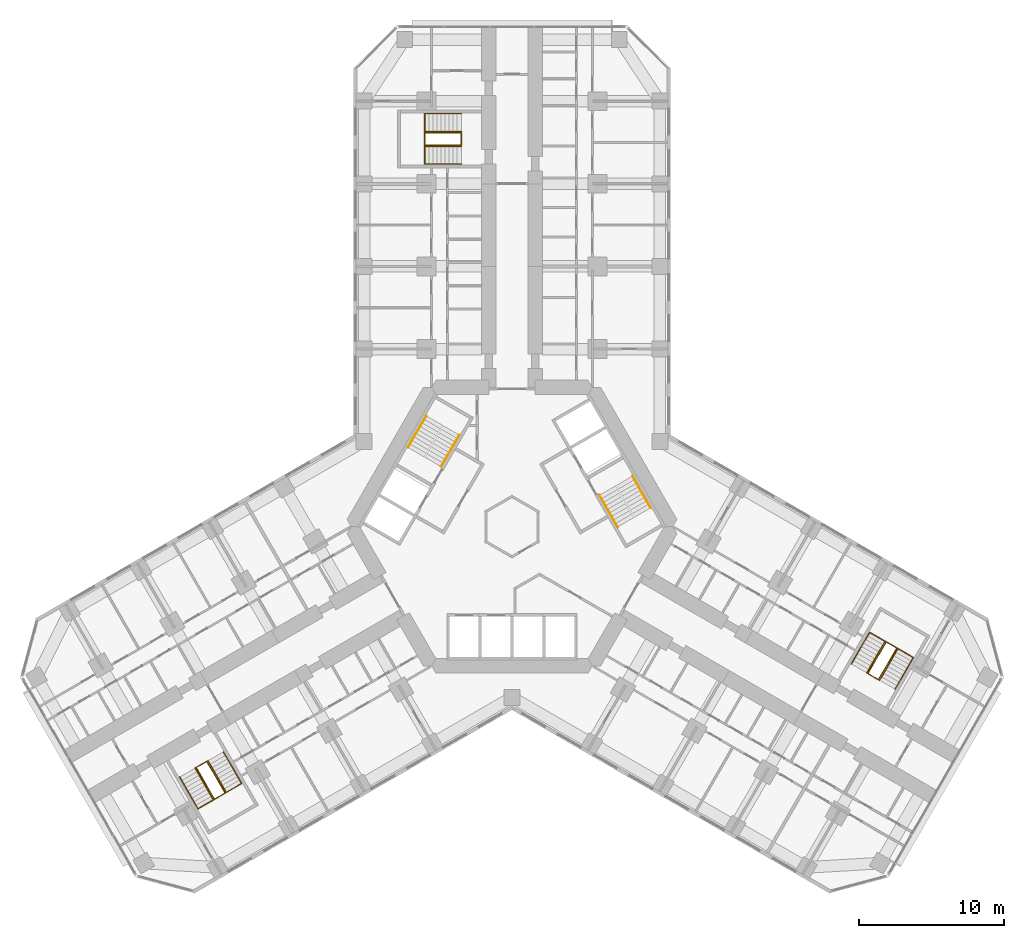
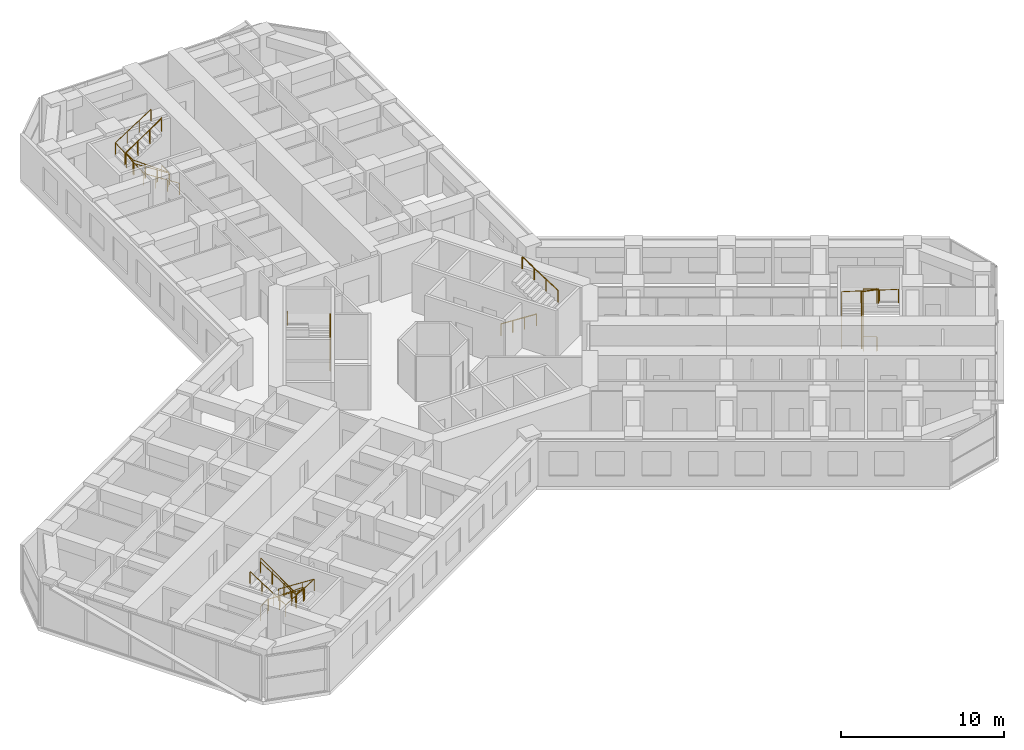
# One storey, part 21 of 21: 13 railings.
"""IFC4 building model written with IfcOpenShell, lengths in metres."""

from ifc_helpers import new_model, si_unit, direction, frame, origin, origin_2d, place, context, subcontext, project, spatial, circle, extrude, material, type_object, element, save


model = new_model("IFC4")

# Units and contexts
model_context = context("Model", 3, precision=1e-05, world=origin(), true_north=direction((0.0, 1.0)))
body_context = subcontext(model_context, "Body", "Model", "MODEL_VIEW")
ifc_project = project(units=[si_unit("LENGTHUNIT", "METRE"), si_unit("AREAUNIT", "SQUARE_METRE"), si_unit("VOLUMEUNIT", "CUBIC_METRE"), si_unit("PLANEANGLEUNIT", "RADIAN"), si_unit("MASSUNIT", "GRAM", prefix="KILO")], contexts=[model_context])

# Site, building, storey
site_placement = place(None, origin())
site = spatial("IfcSite", under=ifc_project, at=site_placement, CompositionType="ELEMENT")
building_placement = place(site_placement, origin())
building = spatial("IfcBuilding", under=site, at=building_placement, Name="Kosmar Iwan School Tower", CompositionType="ELEMENT")
storey_placement = place(building_placement, frame((0.0, 0.0, 43.0)))
storey = spatial("IfcBuildingStorey", under=building, at=storey_placement, Name="L09", CompositionType="ELEMENT", Elevation=43.0)

# Railings
ifc_material_1 = material(Name="Black steel", Category="steel")
railing_type_1 = type_object("IfcRailingType", Name="Stair handrail 900", PredefinedType="HANDRAIL", material=ifc_material_1)
railing_1_placement = place(storey_placement, frame((-4.89453125, 4.142333984375, 0.179931640625)))
element("IfcRailing", 1, at=railing_1_placement, inside=storey, type_object=railing_type_1, Name="Handrail ST2 flight 1", PredefinedType="HANDRAIL", context=body_context, shape_type="SweptSolid", body=[
    extrude(circle(Radius=0.02392578125, at=origin_2d()), frame((0.0, 0.0, 0.8759765625), z_axis=(0.420584145978, 0.728463801763, 0.540785970299), x_axis=(-0.866022637375, 0.500004791531, 0.0)), (0.0, 0.0, 1.0), 2.995849609375),
    extrude(circle(Radius=0.02099609375, at=origin_2d()), origin(), (0.0, 0.0, 1.0), 0.851806640625),
    extrude(circle(Radius=0.02099609375, at=origin_2d()), frame((0.419921875, 0.7275390625, 0.5400390625)), (0.0, 0.0, 1.0), 0.851806640625),
    extrude(circle(Radius=0.02099609375, at=origin_2d()), frame((0.840087890625, 1.454833984375, 1.080078125)), (0.0, 0.0, 1.0), 0.851806640625),
    extrude(circle(Radius=0.02099609375, at=origin_2d()), frame((1.260009765625, 2.182373046875, 1.6201171875)), (0.0, 0.0, 1.0), 0.851806640625),
])
railing_2_placement = place(storey_placement, frame((-5.912353515625, 7.6396484375, 1.97998046875)))
element("IfcRailing", 2, at=railing_2_placement, inside=storey, type_object=railing_type_1, Name="Handrail ST2 flight 2", PredefinedType="HANDRAIL", context=body_context, shape_type="SweptSolid", body=[
    extrude(circle(Radius=0.02392578125, at=origin_2d()), frame((0.0, 0.0, 0.8759765625), z_axis=(-0.420584145978, -0.728463801763, 0.540785970299), x_axis=(0.866022637375, -0.500004791531, 0.0)), (0.0, 0.0, 1.0), 2.995849609375),
    extrude(circle(Radius=0.02099609375, at=origin_2d()), origin(), (0.0, 0.0, 1.0), 0.851806640625),
    extrude(circle(Radius=0.02099609375, at=origin_2d()), frame((-0.419921875, -0.7275390625, 0.5400390625)), (0.0, 0.0, 1.0), 0.851806640625),
    extrude(circle(Radius=0.02099609375, at=origin_2d()), frame((-0.840087890625, -1.454833984375, 1.080078125)), (0.0, 0.0, 1.0), 0.851806640625),
    extrude(circle(Radius=0.02099609375, at=origin_2d()), frame((-1.260009765625, -2.182373046875, 1.6201171875)), (0.0, 0.0, 1.0), 0.851806640625),
])
railing_3_placement = place(storey_placement, frame((6.03466796875, 2.167724609375, 0.179931640625)))
element("IfcRailing", 3, at=railing_3_placement, inside=storey, type_object=railing_type_1, Name="Handrail ST1 flight 1", PredefinedType="HANDRAIL", context=body_context, shape_type="SweptSolid", body=[
    extrude(circle(Radius=0.02392578125, at=origin_2d()), frame((0.0, 0.0, 0.8759765625), z_axis=(0.420584145978, -0.728463801763, 0.540785970299), x_axis=(0.866022637375, 0.500004791531, 0.0)), (0.0, 0.0, 1.0), 2.995849609375),
    extrude(circle(Radius=0.02099609375, at=origin_2d()), origin(), (0.0, 0.0, 1.0), 0.851806640625),
    extrude(circle(Radius=0.02099609375, at=origin_2d()), frame((0.419921875, -0.7275390625, 0.5400390625)), (0.0, 0.0, 1.0), 0.851806640625),
    extrude(circle(Radius=0.02099609375, at=origin_2d()), frame((0.840087890625, -1.454833984375, 1.080078125)), (0.0, 0.0, 1.0), 0.851806640625),
    extrude(circle(Radius=0.02099609375, at=origin_2d()), frame((1.260009765625, -2.182373046875, 1.6201171875)), (0.0, 0.0, 1.0), 0.851806640625),
])
railing_4_placement = place(storey_placement, frame((9.572265625, 1.30029296875, 1.97998046875)))
element("IfcRailing", 4, at=railing_4_placement, inside=storey, type_object=railing_type_1, Name="Handrail ST1 flight 2", PredefinedType="HANDRAIL", context=body_context, shape_type="SweptSolid", body=[
    extrude(circle(Radius=0.02392578125, at=origin_2d()), frame((0.0, 0.0, 0.8759765625), z_axis=(-0.420584145978, 0.728463801763, 0.540785970299), x_axis=(-0.866022637375, -0.500004791531, 0.0)), (0.0, 0.0, 1.0), 2.995849609375),
    extrude(circle(Radius=0.02099609375, at=origin_2d()), origin(), (0.0, 0.0, 1.0), 0.851806640625),
    extrude(circle(Radius=0.02099609375, at=origin_2d()), frame((-0.419921875, 0.7275390625, 0.5400390625)), (0.0, 0.0, 1.0), 0.851806640625),
    extrude(circle(Radius=0.02099609375, at=origin_2d()), frame((-0.840087890625, 1.454833984375, 1.080078125)), (0.0, 0.0, 1.0), 0.851806640625),
    extrude(circle(Radius=0.02099609375, at=origin_2d()), frame((-1.260009765625, 2.182373046875, 1.6201171875)), (0.0, 0.0, 1.0), 0.851806640625),
])
railing_5_placement = place(storey_placement, frame((-3.5, 25.010009765625, 0.179931640625)))
element("IfcRailing", 5, at=railing_5_placement, inside=storey, type_object=railing_type_1, Name="Handrail stair WS1 L09 wall side", PredefinedType="HANDRAIL", context=body_context, shape_type="SweptSolid", body=[
    extrude(circle(Radius=0.02392578125, at=origin_2d()), frame((0.0, 0.0, 0.8759765625), z_axis=(-0.841162588446, 0.0, 0.540782303519), x_axis=(0.0, -1.0, 0.0)), (0.0, 0.0, 1.0), 2.995849609375),
    extrude(circle(Radius=0.02392578125, at=origin_2d()), frame((-2.52001953125, 0.0, 2.49609375), z_axis=(0.0, 0.998665981786, 0.051635809497), x_axis=(-1.0, 0.0, 0.0)), (0.0, 0.0, 1.0), 3.484619140625),
    extrude(circle(Radius=0.02392578125, at=origin_2d()), frame((-2.52001953125, 3.47998046875, 2.67578125), z_axis=(0.841162588446, 0.0, 0.540782303519), x_axis=(0.0, 1.0, 0.0)), (0.0, 0.0, 1.0), 2.995849609375),
    extrude(circle(Radius=0.02099609375, at=origin_2d()), origin(), (0.0, 0.0, 1.0), 0.851806640625),
    extrude(circle(Radius=0.02099609375, at=origin_2d()), frame((-0.840087890625, 0.0, 0.5400390625)), (0.0, 0.0, 1.0), 0.851806640625),
    extrude(circle(Radius=0.02099609375, at=origin_2d()), frame((-1.679931640625, 0.0, 1.080078125)), (0.0, 0.0, 1.0), 0.851806640625),
    extrude(circle(Radius=0.02099609375, at=origin_2d()), frame((-2.52001953125, 0.0, 1.6201171875)), (0.0, 0.0, 1.0), 0.851806640625),
    extrude(circle(Radius=0.02099609375, at=origin_2d()), frame((-2.52001953125, 1.159912109375, 1.68017578125)), (0.0, 0.0, 1.0), 0.851806640625),
    extrude(circle(Radius=0.02099609375, at=origin_2d()), frame((-2.52001953125, 2.320068359375, 1.739990234375)), (0.0, 0.0, 1.0), 0.851806640625),
    extrude(circle(Radius=0.02099609375, at=origin_2d()), frame((-2.52001953125, 3.47998046875, 1.800048828125)), (0.0, 0.0, 1.0), 0.851806640625),
    extrude(circle(Radius=0.02099609375, at=origin_2d()), frame((-1.679931640625, 3.47998046875, 2.340087890625)), (0.0, 0.0, 1.0), 0.851806640625),
    extrude(circle(Radius=0.02099609375, at=origin_2d()), frame((-0.840087890625, 3.47998046875, 2.880126953125)), (0.0, 0.0, 1.0), 0.851806640625),
    extrude(circle(Radius=0.02099609375, at=origin_2d()), frame((0.0, 3.47998046875, 3.420166015625)), (0.0, 0.0, 1.0), 0.851806640625),
])
railing_6_placement = place(storey_placement, frame((-3.5, 26.239990234375, 0.179931640625)))
element("IfcRailing", 6, at=railing_6_placement, inside=storey, type_object=railing_type_1, Name="Handrail stair WS1 L09 well side", PredefinedType="HANDRAIL", context=body_context, shape_type="SweptSolid", body=[
    extrude(circle(Radius=0.02392578125, at=origin_2d()), frame((0.0, 0.0, 0.8759765625), z_axis=(-0.841162588446, 0.0, 0.540782303519), x_axis=(0.0, -1.0, 0.0)), (0.0, 0.0, 1.0), 2.995849609375),
    extrude(circle(Radius=0.02392578125, at=origin_2d()), frame((-2.52001953125, 0.0, 2.49609375), z_axis=(0.0, 0.984795421109, 0.173718100851), x_axis=(-1.0, 0.0, 0.0)), (0.0, 0.0, 1.0), 1.035888671875),
    extrude(circle(Radius=0.02392578125, at=origin_2d()), frame((-2.52001953125, 1.02001953125, 2.67578125), z_axis=(0.841162588446, 0.0, 0.540782303519), x_axis=(0.0, 1.0, 0.0)), (0.0, 0.0, 1.0), 2.995849609375),
    extrude(circle(Radius=0.02099609375, at=origin_2d()), origin(), (0.0, 0.0, 1.0), 0.851806640625),
    extrude(circle(Radius=0.02099609375, at=origin_2d()), frame((-0.840087890625, 0.0, 0.5400390625)), (0.0, 0.0, 1.0), 0.851806640625),
    extrude(circle(Radius=0.02099609375, at=origin_2d()), frame((-1.679931640625, 0.0, 1.080078125)), (0.0, 0.0, 1.0), 0.851806640625),
    extrude(circle(Radius=0.02099609375, at=origin_2d()), frame((-2.52001953125, 0.0, 1.6201171875)), (0.0, 0.0, 1.0), 0.851806640625),
    extrude(circle(Radius=0.02099609375, at=origin_2d()), frame((-2.52001953125, 1.02001953125, 1.800048828125)), (0.0, 0.0, 1.0), 0.851806640625),
    extrude(circle(Radius=0.02099609375, at=origin_2d()), frame((-1.679931640625, 1.02001953125, 2.340087890625)), (0.0, 0.0, 1.0), 0.851806640625),
    extrude(circle(Radius=0.02099609375, at=origin_2d()), frame((-0.840087890625, 1.02001953125, 2.880126953125)), (0.0, 0.0, 1.0), 0.851806640625),
    extrude(circle(Radius=0.02099609375, at=origin_2d()), frame((0.0, 1.02001953125, 3.420166015625)), (0.0, 0.0, 1.0), 0.851806640625),
])
railing_7_placement = place(storey_placement, frame((-19.9091796875, -15.5361328125, 0.179931640625)))
element("IfcRailing", 7, at=railing_7_placement, inside=storey, type_object=railing_type_1, Name="Handrail stair WS2 L09 wall side", PredefinedType="HANDRAIL", context=body_context, shape_type="SweptSolid", body=[
    extrude(circle(Radius=0.02392578125, at=origin_2d()), frame((0.0, 0.0, 0.8759765625), z_axis=(0.420517065106, -0.728488768407, 0.540804504659), x_axis=(0.866064587494, 0.499932125682, 0.0)), (0.0, 0.0, 1.0), 2.995849609375),
    extrude(circle(Radius=0.02392578125, at=origin_2d()), frame((1.259765625, -2.182373046875, 2.49609375), z_axis=(-0.864864352349, -0.499342858003, 0.051636829851), x_axis=(0.500009906705, -0.86601968407, 0.0)), (0.0, 0.0, 1.0), 3.484619140625),
    extrude(circle(Radius=0.02392578125, at=origin_2d()), frame((-1.75390625, -3.92236328125, 2.67578125), z_axis=(-0.420584145978, 0.728463801763, 0.540785970299), x_axis=(-0.866022637375, -0.500004791531, 0.0)), (0.0, 0.0, 1.0), 2.995849609375),
    extrude(circle(Radius=0.02099609375, at=origin_2d()), origin(), (0.0, 0.0, 1.0), 0.851806640625),
    extrude(circle(Radius=0.02099609375, at=origin_2d()), frame((0.419921875, -0.7275390625, 0.5400390625)), (0.0, 0.0, 1.0), 0.851806640625),
    extrude(circle(Radius=0.02099609375, at=origin_2d()), frame((0.83984375, -1.454833984375, 1.080078125)), (0.0, 0.0, 1.0), 0.851806640625),
    extrude(circle(Radius=0.02099609375, at=origin_2d()), frame((1.259765625, -2.182373046875, 1.6201171875)), (0.0, 0.0, 1.0), 0.851806640625),
    extrude(circle(Radius=0.02099609375, at=origin_2d()), frame((0.255126953125, -2.762451171875, 1.68017578125)), (0.0, 0.0, 1.0), 0.851806640625),
    extrude(circle(Radius=0.02099609375, at=origin_2d()), frame((-0.749267578125, -3.34228515625, 1.739990234375)), (0.0, 0.0, 1.0), 0.851806640625),
    extrude(circle(Radius=0.02099609375, at=origin_2d()), frame((-1.75390625, -3.92236328125, 1.800048828125)), (0.0, 0.0, 1.0), 0.851806640625),
    extrude(circle(Radius=0.02099609375, at=origin_2d()), frame((-2.173828125, -3.19482421875, 2.340087890625)), (0.0, 0.0, 1.0), 0.851806640625),
    extrude(circle(Radius=0.02099609375, at=origin_2d()), frame((-2.593994140625, -2.467529296875, 2.880126953125)), (0.0, 0.0, 1.0), 0.851806640625),
    extrude(circle(Radius=0.02099609375, at=origin_2d()), frame((-3.013916015625, -1.739990234375, 3.420166015625)), (0.0, 0.0, 1.0), 0.851806640625),
])
railing_8_placement = place(storey_placement, frame((-20.974609375, -16.151123046875, 0.179931640625)))
element("IfcRailing", 8, at=railing_8_placement, inside=storey, type_object=railing_type_1, Name="Handrail stair WS2 L09 well side", PredefinedType="HANDRAIL", context=body_context, shape_type="SweptSolid", body=[
    extrude(circle(Radius=0.02392578125, at=origin_2d()), frame((0.0, 0.0, 0.8759765625), z_axis=(0.420584145978, -0.728463801763, 0.540785970299), x_axis=(0.866022637375, 0.500004791531, 0.0)), (0.0, 0.0, 1.0), 2.995849609375),
    extrude(circle(Radius=0.02392578125, at=origin_2d()), frame((1.260009765625, -2.182373046875, 2.49609375), z_axis=(-0.852841519511, -0.492422867401, 0.173726976197), x_axis=(0.500026340207, -0.866010195725, 0.0)), (0.0, 0.0, 1.0), 1.03564453125),
    extrude(circle(Radius=0.02392578125, at=origin_2d()), frame((0.376708984375, -2.6923828125, 2.67578125), z_axis=(-0.420584145978, 0.728463801763, 0.540785970299), x_axis=(-0.866022637375, -0.500004791531, 0.0)), (0.0, 0.0, 1.0), 2.995849609375),
    extrude(circle(Radius=0.02099609375, at=origin_2d()), origin(), (0.0, 0.0, 1.0), 0.851806640625),
    extrude(circle(Radius=0.02099609375, at=origin_2d()), frame((0.419921875, -0.7275390625, 0.5400390625)), (0.0, 0.0, 1.0), 0.851806640625),
    extrude(circle(Radius=0.02099609375, at=origin_2d()), frame((0.840087890625, -1.454833984375, 1.080078125)), (0.0, 0.0, 1.0), 0.851806640625),
    extrude(circle(Radius=0.02099609375, at=origin_2d()), frame((1.260009765625, -2.182373046875, 1.6201171875)), (0.0, 0.0, 1.0), 0.851806640625),
    extrude(circle(Radius=0.02099609375, at=origin_2d()), frame((0.376708984375, -2.6923828125, 1.800048828125)), (0.0, 0.0, 1.0), 0.851806640625),
    extrude(circle(Radius=0.02099609375, at=origin_2d()), frame((-0.043212890625, -1.96484375, 2.340087890625)), (0.0, 0.0, 1.0), 0.851806640625),
    extrude(circle(Radius=0.02099609375, at=origin_2d()), frame((-0.46337890625, -1.237548828125, 2.880126953125)), (0.0, 0.0, 1.0), 0.851806640625),
    extrude(circle(Radius=0.02099609375, at=origin_2d()), frame((-0.88330078125, -0.510009765625, 3.420166015625)), (0.0, 0.0, 1.0), 0.851806640625),
])
railing_9_placement = place(storey_placement, frame((23.4091796875, -9.473876953125, 0.179931640625)))
element("IfcRailing", 9, at=railing_9_placement, inside=storey, type_object=railing_type_1, Name="Handrail stair WS3 L09 wall side", PredefinedType="HANDRAIL", context=body_context, shape_type="SweptSolid", body=[
    extrude(circle(Radius=0.02392578125, at=origin_2d()), frame((0.0, 0.0, 0.8759765625), z_axis=(0.420584145978, 0.728463801763, 0.540785970299), x_axis=(-0.866022637375, 0.500004791531, 0.0)), (0.0, 0.0, 1.0), 2.995849609375),
    extrude(circle(Radius=0.02392578125, at=origin_2d()), frame((1.260009765625, 2.182373046875, 2.49609375), z_axis=(0.864882007433, -0.499312601618, 0.051633701051), x_axis=(0.499979528911, 0.866037222451, 0.0)), (0.0, 0.0, 1.0), 3.48486328125),
    extrude(circle(Radius=0.02392578125, at=origin_2d()), frame((4.27392578125, 0.4423828125, 2.67578125), z_axis=(-0.420584145978, -0.728463801763, 0.540785970299), x_axis=(0.866022637375, -0.500004791531, 0.0)), (0.0, 0.0, 1.0), 2.995849609375),
    extrude(circle(Radius=0.02099609375, at=origin_2d()), origin(), (0.0, 0.0, 1.0), 0.851806640625),
    extrude(circle(Radius=0.02099609375, at=origin_2d()), frame((0.419921875, 0.7275390625, 0.5400390625)), (0.0, 0.0, 1.0), 0.851806640625),
    extrude(circle(Radius=0.02099609375, at=origin_2d()), frame((0.840087890625, 1.454833984375, 1.080078125)), (0.0, 0.0, 1.0), 0.851806640625),
    extrude(circle(Radius=0.02099609375, at=origin_2d()), frame((1.260009765625, 2.182373046875, 1.6201171875)), (0.0, 0.0, 1.0), 0.851806640625),
    extrude(circle(Radius=0.02099609375, at=origin_2d()), frame((2.2646484375, 1.602294921875, 1.68017578125)), (0.0, 0.0, 1.0), 0.851806640625),
    extrude(circle(Radius=0.02099609375, at=origin_2d()), frame((3.269287109375, 1.0224609375, 1.739990234375)), (0.0, 0.0, 1.0), 0.851806640625),
    extrude(circle(Radius=0.02099609375, at=origin_2d()), frame((4.27392578125, 0.4423828125, 1.800048828125)), (0.0, 0.0, 1.0), 0.851806640625),
    extrude(circle(Radius=0.02099609375, at=origin_2d()), frame((3.85400390625, -0.28515625, 2.340087890625)), (0.0, 0.0, 1.0), 0.851806640625),
    extrude(circle(Radius=0.02099609375, at=origin_2d()), frame((3.433837890625, -1.012451171875, 2.880126953125)), (0.0, 0.0, 1.0), 0.851806640625),
    extrude(circle(Radius=0.02099609375, at=origin_2d()), frame((3.013916015625, -1.739990234375, 3.420166015625)), (0.0, 0.0, 1.0), 0.851806640625),
])
railing_10_placement = place(storey_placement, frame((24.474609375, -10.0888671875, 0.179931640625)))
element("IfcRailing", 10, at=railing_10_placement, inside=storey, type_object=railing_type_1, Name="Handrail stair WS3 L09 well side", PredefinedType="HANDRAIL", context=body_context, shape_type="SweptSolid", body=[
    extrude(circle(Radius=0.02392578125, at=origin_2d()), frame((0.0, 0.0, 0.8759765625), z_axis=(0.420584145978, 0.728463801763, 0.540785970299), x_axis=(-0.866022637375, 0.500004791531, 0.0)), (0.0, 0.0, 1.0), 2.995849609375),
    extrude(circle(Radius=0.02392578125, at=origin_2d()), frame((1.260009765625, 2.182373046875, 2.49609375), z_axis=(0.852841519511, -0.492422867401, 0.173726976197), x_axis=(0.500026340207, 0.866010195725, 0.0)), (0.0, 0.0, 1.0), 1.03564453125),
    extrude(circle(Radius=0.02392578125, at=origin_2d()), frame((2.143310546875, 1.67236328125, 2.67578125), z_axis=(-0.420584145978, -0.728463801763, 0.540785970299), x_axis=(0.866022637375, -0.500004791531, 0.0)), (0.0, 0.0, 1.0), 2.995849609375),
    extrude(circle(Radius=0.02099609375, at=origin_2d()), origin(), (0.0, 0.0, 1.0), 0.851806640625),
    extrude(circle(Radius=0.02099609375, at=origin_2d()), frame((0.419921875, 0.7275390625, 0.5400390625)), (0.0, 0.0, 1.0), 0.851806640625),
    extrude(circle(Radius=0.02099609375, at=origin_2d()), frame((0.840087890625, 1.454833984375, 1.080078125)), (0.0, 0.0, 1.0), 0.851806640625),
    extrude(circle(Radius=0.02099609375, at=origin_2d()), frame((1.260009765625, 2.182373046875, 1.6201171875)), (0.0, 0.0, 1.0), 0.851806640625),
    extrude(circle(Radius=0.02099609375, at=origin_2d()), frame((2.143310546875, 1.67236328125, 1.800048828125)), (0.0, 0.0, 1.0), 0.851806640625),
    extrude(circle(Radius=0.02099609375, at=origin_2d()), frame((1.723388671875, 0.94482421875, 2.340087890625)), (0.0, 0.0, 1.0), 0.851806640625),
    extrude(circle(Radius=0.02099609375, at=origin_2d()), frame((1.30322265625, 0.217529296875, 2.880126953125)), (0.0, 0.0, 1.0), 0.851806640625),
    extrude(circle(Radius=0.02099609375, at=origin_2d()), frame((0.88330078125, -0.510009765625, 3.420166015625)), (0.0, 0.0, 1.0), 0.851806640625),
])
ifc_material_2 = material(Name="Black steel", Category="steel")
railing_type_2 = type_object("IfcRailingType", Name="Stair well guard 1100", PredefinedType="GUARDRAIL", material=ifc_material_2)
railing_11_placement = place(storey_placement, frame((-3.5, 27.169921875, 0.0)))
element("IfcRailing", 11, at=railing_11_placement, inside=storey, type_object=railing_type_2, Name="Stair WS1 L09 well guard", PredefinedType="GUARDRAIL", context=body_context, shape_type="SweptSolid", body=[
    extrude(circle(Radius=0.02392578125, at=origin_2d()), frame((0.0, 0.0, 1.076171875), z_axis=(0.0, -1.0, 0.0), x_axis=(1.0, 0.0, 0.0)), (0.0, 0.0, 1.0), 0.83984375),
    extrude(circle(Radius=0.02392578125, at=origin_2d()), frame((0.0, -0.83984375, 1.076171875), z_axis=(-0.813728144527, 0.0, 0.581245650998), x_axis=(0.0, -1.0, 0.0)), (0.0, 0.0, 1.0), 3.096923828125),
    extrude(circle(Radius=0.02392578125, at=origin_2d()), frame((-2.52001953125, -0.83984375, 2.8759765625), z_axis=(0.0, 1.0, 0.0), x_axis=(-1.0, 0.0, 0.0)), (0.0, 0.0, 1.0), 0.83984375),
    extrude(circle(Radius=0.02392578125, at=origin_2d()), frame((-2.52001953125, 0.0, 2.8759765625), z_axis=(0.813728144527, 0.0, 0.581245650998), x_axis=(0.0, 1.0, 0.0)), (0.0, 0.0, 1.0), 3.096923828125),
    extrude(circle(Radius=0.02099609375, at=origin_2d()), origin(), (0.0, 0.0, 1.0), 1.052001953125),
    extrude(circle(Radius=0.02099609375, at=origin_2d()), frame((0.0, -0.83984375, 0.0)), (0.0, 0.0, 1.0), 1.052001953125),
    extrude(circle(Radius=0.02099609375, at=origin_2d()), frame((-0.840087890625, -0.83984375, 0.60009765625)), (0.0, 0.0, 1.0), 1.052001953125),
    extrude(circle(Radius=0.02099609375, at=origin_2d()), frame((-1.679931640625, -0.83984375, 1.199951171875)), (0.0, 0.0, 1.0), 1.052001953125),
    extrude(circle(Radius=0.02099609375, at=origin_2d()), frame((-2.52001953125, -0.83984375, 1.800048828125)), (0.0, 0.0, 1.0), 1.052001953125),
    extrude(circle(Radius=0.02099609375, at=origin_2d()), frame((-2.52001953125, 0.0, 1.800048828125)), (0.0, 0.0, 1.0), 1.052001953125),
    extrude(circle(Radius=0.02099609375, at=origin_2d()), frame((-1.679931640625, 0.0, 2.400146484375)), (0.0, 0.0, 1.0), 1.052001953125),
    extrude(circle(Radius=0.02099609375, at=origin_2d()), frame((-0.840087890625, 0.0, 3.0)), (0.0, 0.0, 1.0), 1.052001953125),
    extrude(circle(Radius=0.02099609375, at=origin_2d()), frame((0.0, 0.0, 3.60009765625)), (0.0, 0.0, 1.0), 1.052001953125),
])
railing_12_placement = place(storey_placement, frame((-21.780029296875, -16.6162109375, 0.0)))
element("IfcRailing", 12, at=railing_12_placement, inside=storey, type_object=railing_type_2, Name="Stair WS2 L09 well guard", PredefinedType="GUARDRAIL", context=body_context, shape_type="SweptSolid", body=[
    extrude(circle(Radius=0.02392578125, at=origin_2d()), frame((0.0, 0.0, 1.076171875), z_axis=(0.865962960534, 0.500108139288, 0.0), x_axis=(-0.500108139288, 0.865962960534, 0.0)), (0.0, 0.0, 1.0), 0.840087890625),
    extrude(circle(Radius=0.02392578125, at=origin_2d()), frame((0.7275390625, 0.420166015625, 1.076171875), z_axis=(0.40686665399, -0.704704712268, 0.58124933925), x_axis=(0.866022637375, 0.500004791531, 0.0)), (0.0, 0.0, 1.0), 3.096923828125),
    extrude(circle(Radius=0.02392578125, at=origin_2d()), frame((1.987548828125, -1.76220703125, 2.8759765625), z_axis=(-0.865962960534, -0.500108139288, 0.0), x_axis=(0.500108139288, -0.865962960534, 0.0)), (0.0, 0.0, 1.0), 0.840087890625),
    extrude(circle(Radius=0.02392578125, at=origin_2d()), frame((1.260009765625, -2.182373046875, 2.8759765625), z_axis=(-0.40686665399, 0.704704712268, 0.58124933925), x_axis=(-0.866022637375, -0.500004791531, 0.0)), (0.0, 0.0, 1.0), 3.096923828125),
    extrude(circle(Radius=0.02099609375, at=origin_2d()), origin(), (0.0, 0.0, 1.0), 1.052001953125),
    extrude(circle(Radius=0.02099609375, at=origin_2d()), frame((0.7275390625, 0.420166015625, 0.0)), (0.0, 0.0, 1.0), 1.052001953125),
    extrude(circle(Radius=0.02099609375, at=origin_2d()), frame((1.1474609375, -0.307373046875, 0.60009765625)), (0.0, 0.0, 1.0), 1.052001953125),
    extrude(circle(Radius=0.02099609375, at=origin_2d()), frame((1.567626953125, -1.03466796875, 1.199951171875)), (0.0, 0.0, 1.0), 1.052001953125),
    extrude(circle(Radius=0.02099609375, at=origin_2d()), frame((1.987548828125, -1.76220703125, 1.800048828125)), (0.0, 0.0, 1.0), 1.052001953125),
    extrude(circle(Radius=0.02099609375, at=origin_2d()), frame((1.260009765625, -2.182373046875, 1.800048828125)), (0.0, 0.0, 1.0), 1.052001953125),
    extrude(circle(Radius=0.02099609375, at=origin_2d()), frame((0.840087890625, -1.454833984375, 2.400146484375)), (0.0, 0.0, 1.0), 1.052001953125),
    extrude(circle(Radius=0.02099609375, at=origin_2d()), frame((0.419921875, -0.7275390625, 3.0)), (0.0, 0.0, 1.0), 1.052001953125),
    extrude(circle(Radius=0.02099609375, at=origin_2d()), frame((0.0, 0.0, 3.60009765625)), (0.0, 0.0, 1.0), 1.052001953125),
])
railing_13_placement = place(storey_placement, frame((25.280029296875, -10.553955078125, 0.0)))
element("IfcRailing", 13, at=railing_13_placement, inside=storey, type_object=railing_type_2, Name="Stair WS3 L09 well guard", PredefinedType="GUARDRAIL", context=body_context, shape_type="SweptSolid", body=[
    extrude(circle(Radius=0.02392578125, at=origin_2d()), frame((0.0, 0.0, 1.076171875), z_axis=(-0.865962960534, 0.500108139288, 0.0), x_axis=(-0.500108139288, -0.865962960534, 0.0)), (0.0, 0.0, 1.0), 0.840087890625),
    extrude(circle(Radius=0.02392578125, at=origin_2d()), frame((-0.7275390625, 0.420166015625, 1.076171875), z_axis=(0.40686665399, 0.704704712268, 0.58124933925), x_axis=(-0.866022637375, 0.500004791531, 0.0)), (0.0, 0.0, 1.0), 3.096923828125),
    extrude(circle(Radius=0.02392578125, at=origin_2d()), frame((0.532470703125, 2.6025390625, 2.8759765625), z_axis=(0.865890253765, -0.500234013672, 0.0), x_axis=(0.500234013672, 0.865890253765, 0.0)), (0.0, 0.0, 1.0), 0.83984375),
    extrude(circle(Radius=0.02392578125, at=origin_2d()), frame((1.259765625, 2.182373046875, 2.8759765625), z_axis=(-0.406800866334, -0.70472731476, 0.58126798207), x_axis=(0.866064587494, -0.499932125682, 0.0)), (0.0, 0.0, 1.0), 3.0966796875),
    extrude(circle(Radius=0.02099609375, at=origin_2d()), origin(), (0.0, 0.0, 1.0), 1.052001953125),
    extrude(circle(Radius=0.02099609375, at=origin_2d()), frame((-0.7275390625, 0.420166015625, 0.0)), (0.0, 0.0, 1.0), 1.052001953125),
    extrude(circle(Radius=0.02099609375, at=origin_2d()), frame((-0.3076171875, 1.147705078125, 0.60009765625)), (0.0, 0.0, 1.0), 1.052001953125),
    extrude(circle(Radius=0.02099609375, at=origin_2d()), frame((0.112548828125, 1.875, 1.199951171875)), (0.0, 0.0, 1.0), 1.052001953125),
    extrude(circle(Radius=0.02099609375, at=origin_2d()), frame((0.532470703125, 2.6025390625, 1.800048828125)), (0.0, 0.0, 1.0), 1.052001953125),
    extrude(circle(Radius=0.02099609375, at=origin_2d()), frame((1.259765625, 2.182373046875, 1.800048828125)), (0.0, 0.0, 1.0), 1.052001953125),
    extrude(circle(Radius=0.02099609375, at=origin_2d()), frame((0.83984375, 1.454833984375, 2.400146484375)), (0.0, 0.0, 1.0), 1.052001953125),
    extrude(circle(Radius=0.02099609375, at=origin_2d()), frame((0.419921875, 0.7275390625, 3.0)), (0.0, 0.0, 1.0), 1.052001953125),
    extrude(circle(Radius=0.02099609375, at=origin_2d()), frame((0.0, 0.0, 3.60009765625)), (0.0, 0.0, 1.0), 1.052001953125),
])

save(model, "model.ifc")
